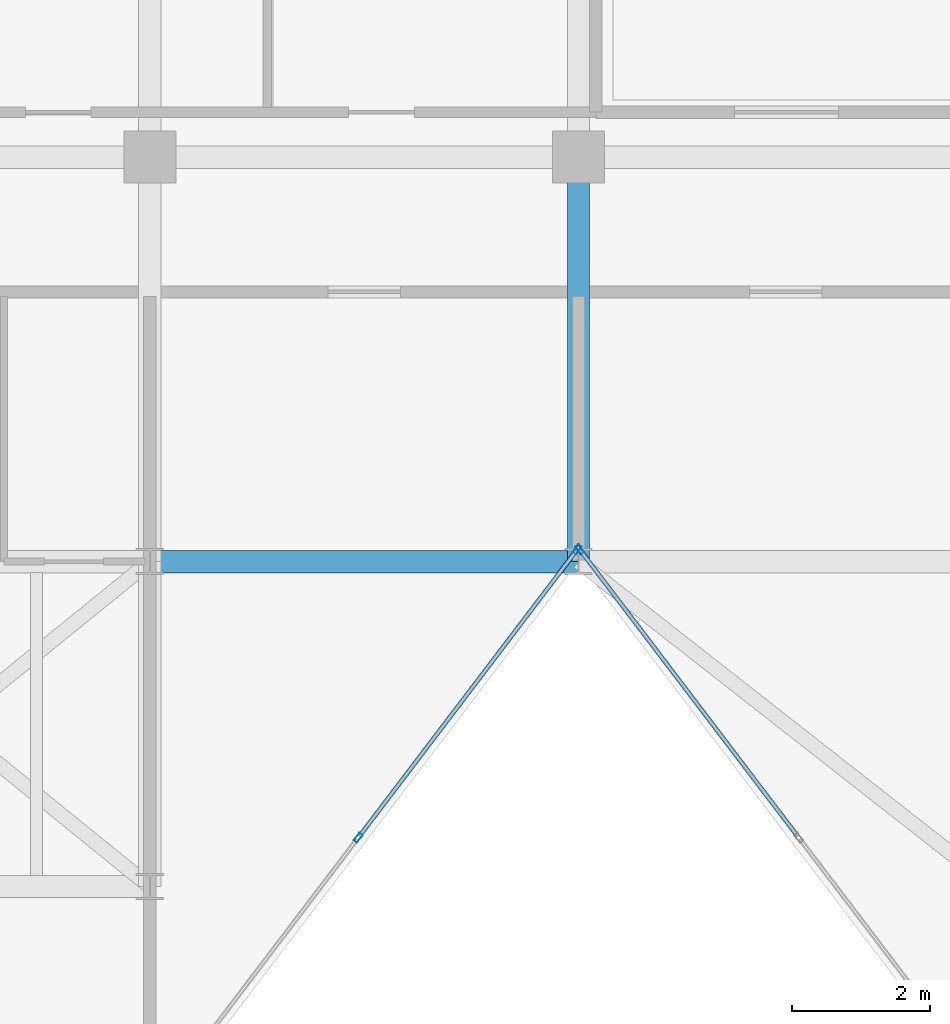
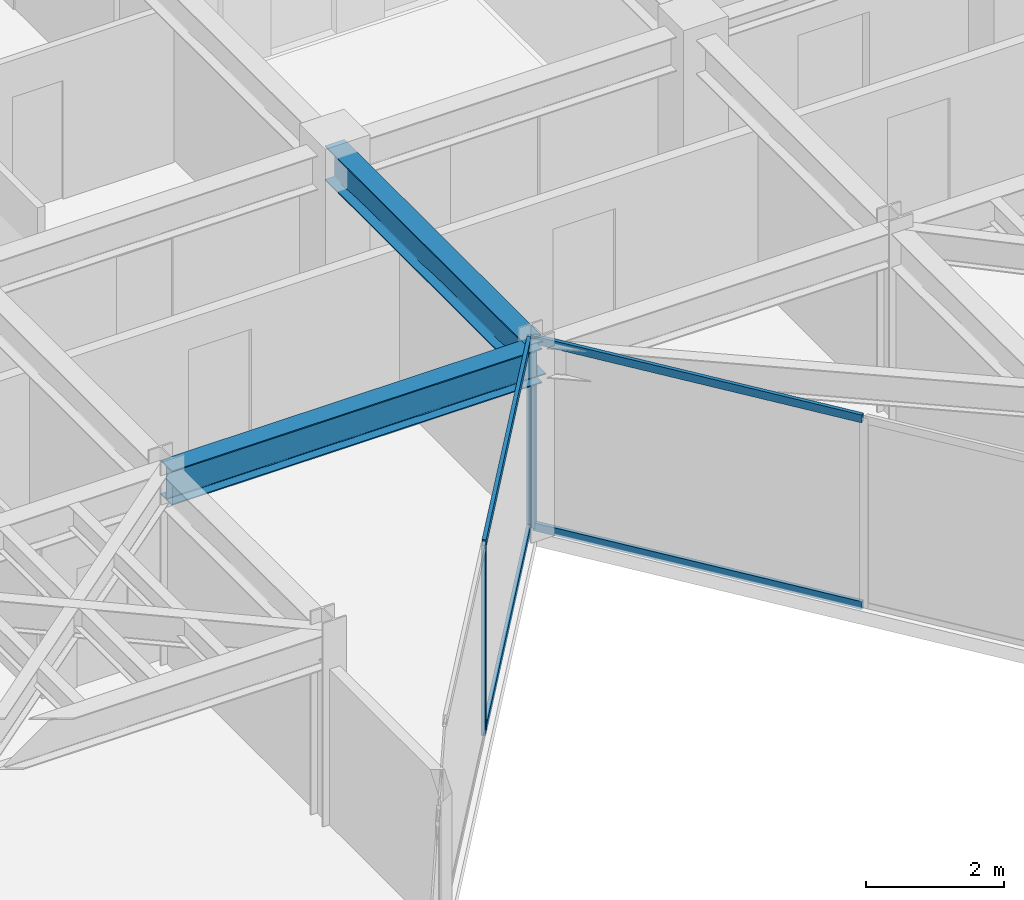
# One storey, part 4 of 17: 7 members, 2 beams, 2 elements without a shape of their own.
"""IFC4 building model written with IfcOpenShell, lengths in metres."""

from ifc_helpers import new_model, si_unit, direction, frame, origin, origin_2d, place, context, subcontext, project, spatial, hollow_rectangle, i_section, extrude, material, layer, layer_set, material_profile, profile_set, type_object, element, aggregate, save


model = new_model("IFC4")

# Units and contexts
model_context = context("Model", 3, precision=1e-05, world=origin(), true_north=direction((0.0, 1.0)))
body_context = subcontext(model_context, "Body", "Model", "MODEL_VIEW")
ifc_project = project(units=[si_unit("LENGTHUNIT", "METRE"), si_unit("AREAUNIT", "SQUARE_METRE"), si_unit("VOLUMEUNIT", "CUBIC_METRE"), si_unit("PLANEANGLEUNIT", "RADIAN"), si_unit("MASSUNIT", "GRAM", prefix="KILO")], contexts=[model_context])

# Site, building, storey
site_placement = place(None, origin())
site = spatial("IfcSite", under=ifc_project, at=site_placement, CompositionType="ELEMENT")
building_placement = place(site_placement, origin())
building = spatial("IfcBuilding", under=site, at=building_placement, Name="Kravanh Interchange Tower", CompositionType="ELEMENT")
storey_placement = place(building_placement, frame((0.0, 0.0, 285.89990234375)))
storey = spatial("IfcBuildingStorey", under=building, at=storey_placement, Name="L70", CompositionType="ELEMENT", Elevation=285.89990234375)

# Curtain wall, member
ifc_material_1 = material(Name="Anodised Bronze Aluminium", Category="aluminium")
ifc_layer = layer(ifc_material_1, 0.179931640625)
ifc_layer_set = layer_set([ifc_layer], Name="Unitised Curtain Wall System CW-HTL Luxury Hotel")
curtain_wall_type = type_object("IfcCurtainWallType", Name="Unitised Curtain Wall System CW-HTL Luxury Hotel", PredefinedType="NOTDEFINED", material=ifc_layer_set)
curtain_wall_1_placement = place(storey_placement, origin())
curtain_wall_1 = element("IfcCurtainWall", 1, at=curtain_wall_1_placement, inside=storey, type_object=curtain_wall_type, Name="L70 Unitised Curtain Wall CW-L70-04", PredefinedType="NOTDEFINED")
ifc_material_2 = material(Name="Anodised Bronze Aluminium", Category="aluminium")
ifc_material_profile_1 = material_profile(ifc_material_2, hollow_rectangle(XDim=0.06005859375, YDim=0.139892578125, WallThickness=0.00390625, at=origin_2d()), Name="ALU60X140X4")
ifc_profile_set_1 = profile_set([ifc_material_profile_1], Name="Anodised Bronze Aluminium")
member_type_1 = type_object("IfcMemberType", Name="Curtain Wall Mullion ALU60X140X4 Bronze", PredefinedType="MULLION", material=ifc_profile_set_1)
member_1_placement = place(storey_placement, frame((44.818115234375, 31.67431640625, 0.0), z_axis=(0.0, 0.0, 1.0), x_axis=(-0.79616243806, -0.605082946564, 0.0)))
member_1 = element("IfcMember", 2, at=member_1_placement, type_object=member_type_1, Name="CW-HTL mullion 4", PredefinedType="MULLION", context=body_context, shape_type="SweptSolid", body=[
    extrude(hollow_rectangle(XDim=0.06005859375, YDim=0.139892578125, WallThickness=0.00390625, at=origin_2d()), origin(), (0.0, 0.0, 1.0), 3.364990234375),
])

# Curtain wall, members
curtain_wall_2_placement = place(storey_placement, origin())
curtain_wall_2 = element("IfcCurtainWall", 3, at=curtain_wall_2_placement, inside=storey, type_object=curtain_wall_type, Name="L70 Unitised Curtain Wall CW-L70-05", PredefinedType="NOTDEFINED")
member_2_placement = place(storey_placement, frame((44.78173828125, 31.67431640625, 0.0), z_axis=(0.0, 0.0, 1.0), x_axis=(0.79616243806, -0.605082946564, 0.0)))
member_2 = element("IfcMember", 4, at=member_2_placement, type_object=member_type_1, Name="CW-HTL mullion 1", PredefinedType="MULLION", context=body_context, shape_type="SweptSolid", body=[
    extrude(hollow_rectangle(XDim=0.06005859375, YDim=0.139892578125, WallThickness=0.00390625, at=origin_2d()), origin(), (0.0, 0.0, 1.0), 3.364990234375),
])
member_3_placement = place(storey_placement, frame((41.613525390625, 27.505615234375, 0.0), z_axis=(0.0, 0.0, 1.0), x_axis=(0.79616243806, -0.605082946564, 0.0)))
member_3 = element("IfcMember", 5, at=member_3_placement, type_object=member_type_1, Name="CW-HTL mullion 2", PredefinedType="MULLION", context=body_context, shape_type="SweptSolid", body=[
    extrude(hollow_rectangle(XDim=0.06005859375, YDim=0.139892578125, WallThickness=0.00390625, at=origin_2d()), origin(), (0.0, 0.0, 1.0), 3.364990234375),
])

# Member
ifc_material_3 = material(Name="Anodised Bronze Aluminium", Category="aluminium")
ifc_material_profile_2 = material_profile(ifc_material_3, hollow_rectangle(XDim=0.06005859375, YDim=0.139892578125, WallThickness=0.00390625, at=origin_2d()), Name="ALU60X140X4")
ifc_profile_set_2 = profile_set([ifc_material_profile_2], Name="Anodised Bronze Aluminium")
member_type_2 = type_object("IfcMemberType", Name="Curtain Wall Transom ALU60X140X4 Bronze", PredefinedType="USERDEFINED", material=ifc_profile_set_2)
member_4_placement = place(storey_placement, frame((47.96826171875, 27.529296875, 0.030029296875), z_axis=(-0.605036627368, 0.796197638494, 0.0), x_axis=(-0.796197638494, -0.605036627368, 0.0)))
member_4 = element("IfcMember", 6, at=member_4_placement, type_object=member_type_2, Name="CW-HTL transom 3.1", ObjectType="TRANSOM", PredefinedType="USERDEFINED", context=body_context, shape_type="SweptSolid", body=[
    extrude(hollow_rectangle(XDim=0.06005859375, YDim=0.139892578125, WallThickness=0.00390625, at=origin_2d()), origin(), (0.0, 0.0, 1.0), 5.17626953125),
])

member_5_placement = place(storey_placement, frame((47.96826171875, 27.529296875, 3.335205078125), z_axis=(-0.605036627368, 0.796197638494, 0.0), x_axis=(-0.796197638494, -0.605036627368, 0.0)))
member_5 = element("IfcMember", 7, at=member_5_placement, type_object=member_type_2, Name="CW-HTL transom 3.2", ObjectType="TRANSOM", PredefinedType="USERDEFINED", context=body_context, shape_type="SweptSolid", body=[
    extrude(hollow_rectangle(XDim=0.06005859375, YDim=0.139892578125, WallThickness=0.00390625, at=origin_2d()), origin(), (0.0, 0.0, 1.0), 5.17626953125),
])

aggregate(curtain_wall_1, [member_1, member_4, member_5])

member_6_placement = place(storey_placement, frame((44.763671875, 31.650634765625, 0.030029296875), z_axis=(-0.605066525627, -0.796174917695, 0.0), x_axis=(0.796174917695, -0.605066525627, 0.0)))
member_6 = element("IfcMember", 8, at=member_6_placement, type_object=member_type_2, Name="CW-HTL transom 1.1", ObjectType="TRANSOM", PredefinedType="USERDEFINED", context=body_context, shape_type="SweptSolid", body=[
    extrude(hollow_rectangle(XDim=0.06005859375, YDim=0.139892578125, WallThickness=0.00390625, at=origin_2d()), origin(), (0.0, 0.0, 1.0), 5.176513671875),
])

member_7_placement = place(storey_placement, frame((44.763671875, 31.650634765625, 3.335205078125), z_axis=(-0.605066525627, -0.796174917695, 0.0), x_axis=(0.796174917695, -0.605066525627, 0.0)))
member_7 = element("IfcMember", 9, at=member_7_placement, type_object=member_type_2, Name="CW-HTL transom 1.2", ObjectType="TRANSOM", PredefinedType="USERDEFINED", context=body_context, shape_type="SweptSolid", body=[
    extrude(hollow_rectangle(XDim=0.06005859375, YDim=0.139892578125, WallThickness=0.00390625, at=origin_2d()), origin(), (0.0, 0.0, 1.0), 5.176513671875),
])

aggregate(curtain_wall_2, [member_2, member_3, member_6, member_7])

# Beams
ifc_material_4 = material(Name="Structural Steel S355", Category="steel")
ifc_material_profile_3 = material_profile(ifc_material_4, i_section(OverallWidth=0.323974609375, OverallDepth=0.611083984375, WebThickness=0.0126953125, FlangeThickness=0.01904296875, FilletRadius=0.02197265625, at=origin_2d()), Name="W24X104")
ifc_profile_set_3 = profile_set([ifc_material_profile_3], Name="Structural Steel S355")
beam_type = type_object("IfcBeamType", Name="Floor Beam W24X104 Structural Steel S355", PredefinedType="BEAM", material=ifc_profile_set_3)
beam_1_placement = place(storey_placement, frame((44.800048828125, 31.5, 3.0595703125), z_axis=(0.0, 1.0, 0.0), x_axis=(-1.0, 0.0, 0.0)))
element("IfcBeam", 10, at=beam_1_placement, inside=storey, type_object=beam_type, Name="L70 Primary Floor Girder 1", PredefinedType="BEAM", context=body_context, shape_type="SweptSolid", body=[
    extrude(i_section(OverallWidth=0.323974609375, OverallDepth=0.611083984375, WebThickness=0.0126953125, FlangeThickness=0.01904296875, FilletRadius=0.02197265625, at=origin_2d()), origin(), (0.0, 0.0, 1.0), 5.85009765625),
])
beam_2_placement = place(storey_placement, frame((44.800048828125, 31.5, 3.0595703125), z_axis=(-1.0, 0.0, 0.0), x_axis=(0.0, -1.0, 0.0)))
element("IfcBeam", 11, at=beam_2_placement, inside=storey, type_object=beam_type, Name="L70 Primary Floor Girder 3", PredefinedType="BEAM", context=body_context, shape_type="SweptSolid", body=[
    extrude(i_section(OverallWidth=0.323974609375, OverallDepth=0.611083984375, WebThickness=0.0126953125, FlangeThickness=0.01904296875, FilletRadius=0.02197265625, at=origin_2d()), origin(), (0.0, 0.0, 1.0), 6.199951171875),
])

save(model, "model.ifc")
